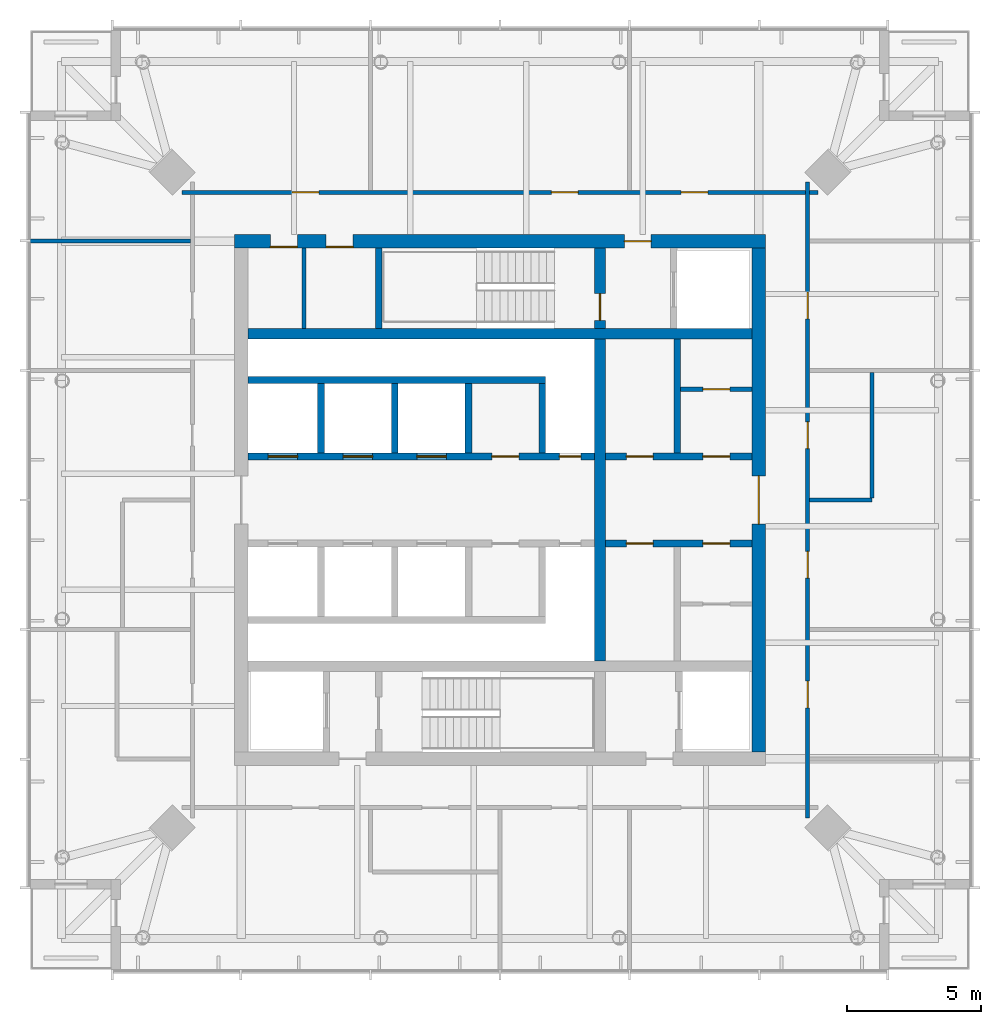
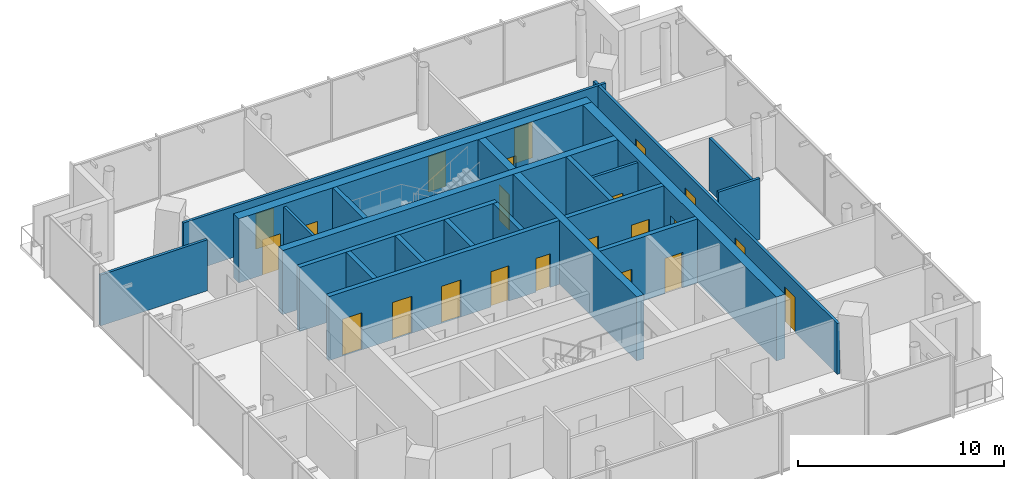
# One storey, part 5 of 7: 22 doors, 22 walls, 22 openings.
"""IFC4 building model written with IfcOpenShell, lengths in metres."""

from ifc_helpers import new_model, si_unit, direction, frame, frame_2d, origin, place, context, subcontext, project, spatial, rectangle, extrude, material, layer, layer_set, type_object, element, fill, save


model = new_model("IFC4")

# Units and contexts
model_context = context("Model", 3, precision=1e-05, world=origin(), true_north=direction((0.0, 1.0)))
body_context = subcontext(model_context, "Body", "Model", "MODEL_VIEW")
ifc_project = project(units=[si_unit("LENGTHUNIT", "METRE"), si_unit("AREAUNIT", "SQUARE_METRE"), si_unit("VOLUMEUNIT", "CUBIC_METRE"), si_unit("PLANEANGLEUNIT", "RADIAN"), si_unit("MASSUNIT", "GRAM", prefix="KILO")], contexts=[model_context])

# Site, building, storey
site_placement = place(None, origin())
site = spatial("IfcSite", under=ifc_project, at=site_placement, CompositionType="ELEMENT")
building_placement = place(site_placement, origin())
building = spatial("IfcBuilding", under=site, at=building_placement, Name="Ostroluk Exchange", CompositionType="ELEMENT")
storey_placement = place(building_placement, frame((0.0, 0.0, 260.39990234375)))
storey = spatial("IfcBuildingStorey", under=building, at=storey_placement, Name="L67", CompositionType="ELEMENT", Elevation=260.39990234375)

# Wall
ifc_material_1 = material(Name="Concrete blockwork", Category="masonry")
ifc_layer_1 = layer(ifc_material_1, 0.14990234375)
ifc_layer_set_1 = layer_set([ifc_layer_1], Name="Blockwork plant room wall 150")
wall_type_1 = type_object("IfcWallType", Name="Blockwork plant room wall 150", PredefinedType="SOLIDWALL", material=ifc_layer_set_1)
wall_1_placement = place(storey_placement, frame((37.68994140625, 52.39990234375, 0.0), z_axis=(0.0, 0.0, 1.0), x_axis=(0.0, 1.0, 0.0)))
element("IfcWall", 1, at=wall_1_placement, inside=storey, type_object=wall_type_1, Name="Core room wall", PredefinedType="SOLIDWALL", context=body_context, shape_type="SweptSolid", body=[
    extrude(rectangle(XDim=3.0, YDim=0.14990234375, at=frame_2d((1.5, 0.0))), origin(), (0.0, 0.0, 1.0), 3.6201171875),
])

# Wall, opening, door
wall_2_placement = place(storey_placement, frame((51.739990234375, 50.1298828125, 0.0), z_axis=(0.0, 0.0, 1.0), x_axis=(1.0, 0.0, 0.0)))
wall_2 = element("IfcWall", 2, at=wall_2_placement, inside=storey, type_object=wall_type_1, Name="Core room wall", PredefinedType="SOLIDWALL", context=body_context, shape_type="SweptSolid", body=[
    extrude(rectangle(XDim=2.659912109375, YDim=0.14990234375, at=frame_2d((1.330078125, 0.0))), origin(), (0.0, 0.0, 1.0), 3.6201171875),
])
opening_1_placement = place(wall_2_placement, frame((0.830078125, 0.0, 0.0)))
opening_1 = element("IfcOpeningElement", 3, at=opening_1_placement, cuts=wall_2, Name="Opening FD60", PredefinedType="OPENING", context=body_context, shape_type="SweptSolid", body=[
    extrude(rectangle(XDim=1.0, YDim=2.10009765625, at=frame_2d((0.5, 1.050048828125))), frame((0.0, 0.0849609375, 0.0), z_axis=(0.0, -1.0, 0.0), x_axis=(1.0, 0.0, 0.0)), (0.0, 0.0, 1.0), 0.169921875),
])
ifc_material_2 = material(Name="Steel", Category="steel")
door_type_1 = type_object("IfcDoorType", Name="Fire door EI 60 1000 x 2100", OperationType="SINGLE_SWING_LEFT", PredefinedType="DOOR", material=ifc_material_2)
door_1_placement = place(opening_1_placement, origin())
door_1 = element("IfcDoor", 4, at=door_1_placement, inside=storey, type_object=door_type_1, Name="Cleaner's store door", OperationType="SINGLE_SWING_RIGHT", OverallHeight=2.10009765625, OverallWidth=1.0, PredefinedType="DOOR", context=body_context, shape_type="SweptSolid", body=[
    extrude(rectangle(XDim=1.0, YDim=2.10009765625, at=frame_2d((0.5, 1.050048828125))), frame((0.0, 0.02490234375, 0.0), z_axis=(0.0, -1.0, 0.0), x_axis=(1.0, 0.0, 0.0)), (0.0, 0.0, 1.0), 0.050048828125),
])
fill(opening_1, door_1)

# Walls
ifc_material_3 = material(Name="Concrete C50/60", Category="concrete")
ifc_layer_2 = layer(ifc_material_3, 0.39990234375)
ifc_layer_set_2 = layer_set([ifc_layer_2], Name="Core cross wall 400 C50/60")
wall_type_2 = type_object("IfcWallType", Name="Core cross wall 400 C50/60", PredefinedType="SHEAR", material=ifc_layer_set_2)
wall_3_placement = place(storey_placement, frame((35.60009765625, 52.199951171875, 0.0), z_axis=(0.0, 0.0, 1.0), x_axis=(1.0, 0.0, 0.0)))
element("IfcWall", 5, at=wall_3_placement, inside=storey, type_object=wall_type_2, Name="T1 core wall XN", PredefinedType="SHEAR", context=body_context, shape_type="SweptSolid", body=[
    extrude(rectangle(XDim=18.7998046875, YDim=0.39990234375, at=frame_2d((9.39990234375, 0.0))), origin(), (0.0, 0.0, 1.0), 3.800048828125),
])
wall_4_placement = place(storey_placement, frame((48.72998046875, 40.0, 0.0), z_axis=(0.0, 0.0, 1.0), x_axis=(0.0, 1.0, 0.0)))
element("IfcWall", 6, at=wall_4_placement, inside=storey, type_object=wall_type_2, Name="T1 core wall YE2", PredefinedType="SHEAR", context=body_context, shape_type="SweptSolid", body=[
    extrude(rectangle(XDim=12.0, YDim=0.39990234375, at=frame_2d((6.0, 0.0))), origin(), (0.0, 0.0, 1.0), 3.800048828125),
])

# Wall, opening, door
wall_5_placement = place(storey_placement, frame((48.72998046875, 52.39990234375, 0.0), z_axis=(0.0, 0.0, 1.0), x_axis=(0.0, 1.0, 0.0)))
wall_5 = element("IfcWall", 7, at=wall_5_placement, inside=storey, type_object=wall_type_2, Name="T1 core wall YE3", PredefinedType="SHEAR", context=body_context, shape_type="SweptSolid", body=[
    extrude(rectangle(XDim=3.0, YDim=0.39990234375, at=frame_2d((1.5, 0.0))), origin(), (0.0, 0.0, 1.0), 3.800048828125),
])
opening_2_placement = place(wall_5_placement, frame((0.300048828125, 0.0, 0.0)))
opening_2 = element("IfcOpeningElement", 8, at=opening_2_placement, cuts=wall_5, Name="Opening FD60", PredefinedType="OPENING", context=body_context, shape_type="SweptSolid", body=[
    extrude(rectangle(XDim=1.0, YDim=2.10009765625, at=frame_2d((0.5, 1.050048828125))), frame((0.0, 0.2099609375, 0.0), z_axis=(0.0, -1.0, 0.0), x_axis=(1.0, 0.0, 0.0)), (0.0, 0.0, 1.0), 0.419921875),
])
door_2_placement = place(opening_2_placement, origin())
door_2 = element("IfcDoor", 9, at=door_2_placement, inside=storey, type_object=door_type_1, Name="Stair T1-S2 door", OperationType="SINGLE_SWING_LEFT", OverallHeight=2.10009765625, OverallWidth=1.0, PredefinedType="DOOR", context=body_context, shape_type="SweptSolid", body=[
    extrude(rectangle(XDim=1.0, YDim=2.10009765625, at=frame_2d((0.5, 1.050048828125))), frame((0.0, 0.02490234375, 0.0), z_axis=(0.0, -1.0, 0.0), x_axis=(1.0, 0.0, 0.0)), (0.0, 0.0, 1.0), 0.050048828125),
])
fill(opening_2, door_2)

# Walls
ifc_material_4 = material(Name="Concrete C40/50", Category="concrete")
ifc_layer_3 = layer(ifc_material_4, 0.25)
ifc_layer_set_3 = layer_set([ifc_layer_3], Name="Core shaft wall 250")
wall_type_3 = type_object("IfcWallType", Name="Core shaft wall 250", PredefinedType="SHEAR", material=ifc_layer_set_3)
wall_6_placement = place(storey_placement, frame((40.47509765625, 52.39990234375, 0.0), z_axis=(0.0, 0.0, 1.0), x_axis=(0.0, 1.0, 0.0)))
element("IfcWall", 10, at=wall_6_placement, inside=storey, type_object=wall_type_3, Name="Stair shaft wall", PredefinedType="SHEAR", context=body_context, shape_type="SweptSolid", body=[
    extrude(rectangle(XDim=3.0, YDim=0.25, at=frame_2d((1.5, 0.0))), origin(), (0.0, 0.0, 1.0), 3.800048828125),
])
for number, where, z_axis, x_axis, name in (
    (11, (38.324951171875, 47.75, 0.0), (0.0, 0.0, 1.0), (0.0, 1.0, 0.0), "Lift shaft wall"),
    (12, (41.074951171875, 47.75, 0.0), (0.0, 0.0, 1.0), (0.0, 1.0, 0.0), "Lift shaft wall"),
    (13, (43.824951171875, 47.75, 0.0), (0.0, 0.0, 1.0), (0.0, 1.0, 0.0), "Lift shaft wall"),
    (14, (46.574951171875, 47.75, 0.0), (0.0, 0.0, 1.0), (0.0, 1.0, 0.0), "Lift shaft wall"),
):
    element("IfcWall", number, at=place(storey_placement, frame(where, z_axis=z_axis, x_axis=x_axis)), inside=storey, type_object=wall_type_3, Name=name, PredefinedType="SHEAR", context=body_context, shape_type="SweptSolid", body=[
        extrude(rectangle(XDim=2.60009765625, YDim=0.25, at=frame_2d((1.300048828125, 0.0))), origin(), (0.0, 0.0, 1.0), 3.800048828125),
    ])
wall_7_placement = place(storey_placement, frame((35.60009765625, 50.47509765625, 0.0), z_axis=(0.0, 0.0, 1.0), x_axis=(1.0, 0.0, 0.0)))
element("IfcWall", 15, at=wall_7_placement, inside=storey, type_object=wall_type_3, Name="Lift shaft wall", PredefinedType="SHEAR", context=body_context, shape_type="SweptSolid", body=[
    extrude(rectangle(XDim=11.099853515625, YDim=0.25, at=frame_2d((5.5498046875, 0.0))), origin(), (0.0, 0.0, 1.0), 3.800048828125),
])

# Wall, openings, doors
wall_8_placement = place(storey_placement, frame((35.60009765625, 47.625, 0.0), z_axis=(0.0, 0.0, 1.0), x_axis=(1.0, 0.0, 0.0)))
wall_8 = element("IfcWall", 16, at=wall_8_placement, inside=storey, type_object=wall_type_3, Name="Lift shaft front wall", PredefinedType="SHEAR", context=body_context, shape_type="SweptSolid", body=[
    extrude(rectangle(XDim=12.929931640625, YDim=0.25, at=frame_2d((6.46484375, 0.0))), origin(), (0.0, 0.0, 1.0), 3.800048828125),
])
opening_3_placement = place(wall_8_placement, frame((0.75, 0.0, 0.0)))
opening_3 = element("IfcOpeningElement", 17, at=opening_3_placement, cuts=wall_8, Name="Opening LD", PredefinedType="OPENING", context=body_context, shape_type="SweptSolid", body=[
    extrude(rectangle(XDim=1.10009765625, YDim=2.199951171875, at=frame_2d((0.550048828125, 1.10009765625))), frame((0.0, 0.135009765625, 0.0), z_axis=(0.0, -1.0, 0.0), x_axis=(1.0, 0.0, 0.0)), (0.0, 0.0, 1.0), 0.27001953125),
])
opening_4_placement = place(wall_8_placement, frame((3.550048828125, 0.0, 0.0)))
opening_4 = element("IfcOpeningElement", 18, at=opening_4_placement, cuts=wall_8, Name="Opening LD", PredefinedType="OPENING", context=body_context, shape_type="SweptSolid", body=[
    extrude(rectangle(XDim=1.10009765625, YDim=2.199951171875, at=frame_2d((0.550048828125, 1.10009765625))), frame((0.0, 0.135009765625, 0.0), z_axis=(0.0, -1.0, 0.0), x_axis=(1.0, 0.0, 0.0)), (0.0, 0.0, 1.0), 0.27001953125),
])
opening_5_placement = place(wall_8_placement, frame((6.300048828125, 0.0, 0.0)))
opening_5 = element("IfcOpeningElement", 19, at=opening_5_placement, cuts=wall_8, Name="Opening LD", PredefinedType="OPENING", context=body_context, shape_type="SweptSolid", body=[
    extrude(rectangle(XDim=1.10009765625, YDim=2.199951171875, at=frame_2d((0.550048828125, 1.10009765625))), frame((0.0, 0.135009765625, 0.0), z_axis=(0.0, -1.0, 0.0), x_axis=(1.0, 0.0, 0.0)), (0.0, 0.0, 1.0), 0.27001953125),
])
opening_6_placement = place(wall_8_placement, frame((9.10009765625, 0.0, 0.0)))
opening_6 = element("IfcOpeningElement", 20, at=opening_6_placement, cuts=wall_8, Name="Opening FD60", PredefinedType="OPENING", context=body_context, shape_type="SweptSolid", body=[
    extrude(rectangle(XDim=1.0, YDim=2.10009765625, at=frame_2d((0.5, 1.050048828125))), frame((0.0, 0.135009765625, 0.0), z_axis=(0.0, -1.0, 0.0), x_axis=(1.0, 0.0, 0.0)), (0.0, 0.0, 1.0), 0.27001953125),
])
opening_7_placement = place(wall_8_placement, frame((11.614990234375, 0.0, 0.0)))
opening_7 = element("IfcOpeningElement", 21, at=opening_7_placement, cuts=wall_8, Name="Opening RD60", PredefinedType="OPENING", context=body_context, shape_type="SweptSolid", body=[
    extrude(rectangle(XDim=0.800048828125, YDim=2.0, at=frame_2d((0.39990234375, 1.0))), frame((0.0, 0.135009765625, 0.0), z_axis=(0.0, -1.0, 0.0), x_axis=(1.0, 0.0, 0.0)), (0.0, 0.0, 1.0), 0.27001953125),
])
door_3_placement = place(opening_6_placement, origin())
door_3 = element("IfcDoor", 22, at=door_3_placement, inside=storey, type_object=door_type_1, Name="Core room door", OperationType="SINGLE_SWING_RIGHT", OverallHeight=2.10009765625, OverallWidth=1.0, PredefinedType="DOOR", context=body_context, shape_type="SweptSolid", body=[
    extrude(rectangle(XDim=1.0, YDim=2.10009765625, at=frame_2d((0.5, 1.050048828125))), frame((0.0, 0.02490234375, 0.0), z_axis=(0.0, -1.0, 0.0), x_axis=(1.0, 0.0, 0.0)), (0.0, 0.0, 1.0), 0.050048828125),
])
fill(opening_6, door_3)
ifc_material_5 = material(Name="Stainless steel", Category="steel")
door_type_2 = type_object("IfcDoorType", Name="Lift landing door E 60 1100 x 2200", OperationType="DOUBLE_DOOR_SLIDING", PredefinedType="DOOR", material=ifc_material_5)
door_4_placement = place(opening_3_placement, origin())
door_4 = element("IfcDoor", 23, at=door_4_placement, inside=storey, type_object=door_type_2, Name="Lift PL-T1 landing door", OperationType="DOUBLE_DOOR_SLIDING", OverallHeight=2.199951171875, OverallWidth=1.10009765625, PredefinedType="DOOR", context=body_context, shape_type="SweptSolid", body=[
    extrude(rectangle(XDim=1.10009765625, YDim=2.199951171875, at=frame_2d((0.550048828125, 1.10009765625))), frame((0.0, 0.02490234375, 0.0), z_axis=(0.0, -1.0, 0.0), x_axis=(1.0, 0.0, 0.0)), (0.0, 0.0, 1.0), 0.050048828125),
])
fill(opening_3, door_4)
door_5_placement = place(opening_4_placement, origin())
door_5 = element("IfcDoor", 24, at=door_5_placement, inside=storey, type_object=door_type_2, Name="Lift PL-T2 landing door", OperationType="DOUBLE_DOOR_SLIDING", OverallHeight=2.199951171875, OverallWidth=1.10009765625, PredefinedType="DOOR", context=body_context, shape_type="SweptSolid", body=[
    extrude(rectangle(XDim=1.10009765625, YDim=2.199951171875, at=frame_2d((0.550048828125, 1.10009765625))), frame((0.0, 0.02490234375, 0.0), z_axis=(0.0, -1.0, 0.0), x_axis=(1.0, 0.0, 0.0)), (0.0, 0.0, 1.0), 0.050048828125),
])
fill(opening_4, door_5)
door_6_placement = place(opening_5_placement, origin())
door_6 = element("IfcDoor", 25, at=door_6_placement, inside=storey, type_object=door_type_2, Name="Lift PL-T3 landing door", OperationType="DOUBLE_DOOR_SLIDING", OverallHeight=2.199951171875, OverallWidth=1.10009765625, PredefinedType="DOOR", context=body_context, shape_type="SweptSolid", body=[
    extrude(rectangle(XDim=1.10009765625, YDim=2.199951171875, at=frame_2d((0.550048828125, 1.10009765625))), frame((0.0, 0.02490234375, 0.0), z_axis=(0.0, -1.0, 0.0), x_axis=(1.0, 0.0, 0.0)), (0.0, 0.0, 1.0), 0.050048828125),
])
fill(opening_5, door_6)
ifc_material_6 = material(Name="Steel", Category="steel")
door_type_3 = type_object("IfcDoorType", Name="Riser access door EI 60 800 x 2000", OperationType="SINGLE_SWING_LEFT", PredefinedType="DOOR", material=ifc_material_6)
door_7_placement = place(opening_7_placement, origin())
door_7 = element("IfcDoor", 26, at=door_7_placement, inside=storey, type_object=door_type_3, Name="Riser access door", OperationType="SINGLE_SWING_RIGHT", OverallHeight=2.0, OverallWidth=0.800048828125, PredefinedType="DOOR", context=body_context, shape_type="SweptSolid", body=[
    extrude(rectangle(XDim=0.800048828125, YDim=2.0, at=frame_2d((0.39990234375, 1.0))), frame((0.0, 0.02490234375, 0.0), z_axis=(0.0, -1.0, 0.0), x_axis=(1.0, 0.0, 0.0)), (0.0, 0.0, 1.0), 0.050048828125),
])
fill(opening_7, door_7)

# Wall
wall_9_placement = place(storey_placement, frame((51.614990234375, 47.75, 0.0), z_axis=(0.0, 0.0, 1.0), x_axis=(0.0, 1.0, 0.0)))
element("IfcWall", 27, at=wall_9_placement, inside=storey, type_object=wall_type_3, Name="Lift shaft wall", PredefinedType="SHEAR", context=body_context, shape_type="SweptSolid", body=[
    extrude(rectangle(XDim=4.25, YDim=0.25, at=frame_2d((2.125, 0.0))), origin(), (0.0, 0.0, 1.0), 3.800048828125),
])

# Wall, openings, doors
wall_10_placement = place(storey_placement, frame((48.929931640625, 47.625, 0.0), z_axis=(0.0, 0.0, 1.0), x_axis=(1.0, 0.0, 0.0)))
wall_10 = element("IfcWall", 28, at=wall_10_placement, inside=storey, type_object=wall_type_3, Name="Lift shaft front wall", PredefinedType="SHEAR", context=body_context, shape_type="SweptSolid", body=[
    extrude(rectangle(XDim=5.469970703125, YDim=0.25, at=frame_2d((2.73486328125, 0.0))), origin(), (0.0, 0.0, 1.0), 3.800048828125),
])
opening_8_placement = place(wall_10_placement, frame((0.780029296875, 0.0, 0.0)))
opening_8 = element("IfcOpeningElement", 29, at=opening_8_placement, cuts=wall_10, Name="Opening FD60", PredefinedType="OPENING", context=body_context, shape_type="SweptSolid", body=[
    extrude(rectangle(XDim=1.0, YDim=2.10009765625, at=frame_2d((0.5, 1.050048828125))), frame((0.0, 0.135009765625, 0.0), z_axis=(0.0, -1.0, 0.0), x_axis=(1.0, 0.0, 0.0)), (0.0, 0.0, 1.0), 0.27001953125),
])
opening_9_placement = place(wall_10_placement, frame((3.639892578125, 0.0, 0.0)))
opening_9 = element("IfcOpeningElement", 30, at=opening_9_placement, cuts=wall_10, Name="Opening FD60", PredefinedType="OPENING", context=body_context, shape_type="SweptSolid", body=[
    extrude(rectangle(XDim=1.0, YDim=2.10009765625, at=frame_2d((0.5, 1.050048828125))), frame((0.0, 0.135009765625, 0.0), z_axis=(0.0, -1.0, 0.0), x_axis=(1.0, 0.0, 0.0)), (0.0, 0.0, 1.0), 0.27001953125),
])
door_8_placement = place(opening_8_placement, origin())
door_8 = element("IfcDoor", 31, at=door_8_placement, inside=storey, type_object=door_type_1, Name="Core room door", OperationType="SINGLE_SWING_LEFT", OverallHeight=2.10009765625, OverallWidth=1.0, PredefinedType="DOOR", context=body_context, shape_type="SweptSolid", body=[
    extrude(rectangle(XDim=1.0, YDim=2.10009765625, at=frame_2d((0.5, 1.050048828125))), frame((0.0, 0.02490234375, 0.0), z_axis=(0.0, -1.0, 0.0), x_axis=(1.0, 0.0, 0.0)), (0.0, 0.0, 1.0), 0.050048828125),
])
fill(opening_8, door_8)
door_9_placement = place(opening_9_placement, origin())
door_9 = element("IfcDoor", 32, at=door_9_placement, inside=storey, type_object=door_type_1, Name="Core room door", OperationType="SINGLE_SWING_RIGHT", OverallHeight=2.10009765625, OverallWidth=1.0, PredefinedType="DOOR", context=body_context, shape_type="SweptSolid", body=[
    extrude(rectangle(XDim=1.0, YDim=2.10009765625, at=frame_2d((0.5, 1.050048828125))), frame((0.0, 0.02490234375, 0.0), z_axis=(0.0, -1.0, 0.0), x_axis=(1.0, 0.0, 0.0)), (0.0, 0.0, 1.0), 0.050048828125),
])
fill(opening_9, door_9)

wall_11_placement = place(storey_placement, frame((48.929931640625, 44.375, 0.0), z_axis=(0.0, 0.0, 1.0), x_axis=(1.0, 0.0, 0.0)))
wall_11 = element("IfcWall", 33, at=wall_11_placement, inside=storey, type_object=wall_type_3, Name="Lift shaft front wall", PredefinedType="SHEAR", context=body_context, shape_type="SweptSolid", body=[
    extrude(rectangle(XDim=5.469970703125, YDim=0.25, at=frame_2d((2.73486328125, 0.0))), origin(), (0.0, 0.0, 1.0), 3.800048828125),
])
opening_10_placement = place(wall_11_placement, frame((0.780029296875, 0.0, 0.0)))
opening_10 = element("IfcOpeningElement", 34, at=opening_10_placement, cuts=wall_11, Name="Opening FD60", PredefinedType="OPENING", context=body_context, shape_type="SweptSolid", body=[
    extrude(rectangle(XDim=1.0, YDim=2.10009765625, at=frame_2d((0.5, 1.050048828125))), frame((0.0, 0.135009765625, 0.0), z_axis=(0.0, -1.0, 0.0), x_axis=(1.0, 0.0, 0.0)), (0.0, 0.0, 1.0), 0.27001953125),
])
opening_11_placement = place(wall_11_placement, frame((3.639892578125, 0.0, 0.0)))
opening_11 = element("IfcOpeningElement", 35, at=opening_11_placement, cuts=wall_11, Name="Opening FD60", PredefinedType="OPENING", context=body_context, shape_type="SweptSolid", body=[
    extrude(rectangle(XDim=1.0, YDim=2.10009765625, at=frame_2d((0.5, 1.050048828125))), frame((0.0, 0.135009765625, 0.0), z_axis=(0.0, -1.0, 0.0), x_axis=(1.0, 0.0, 0.0)), (0.0, 0.0, 1.0), 0.27001953125),
])
door_10_placement = place(opening_10_placement, origin())
door_10 = element("IfcDoor", 36, at=door_10_placement, inside=storey, type_object=door_type_1, Name="Core room door", OperationType="SINGLE_SWING_LEFT", OverallHeight=2.10009765625, OverallWidth=1.0, PredefinedType="DOOR", context=body_context, shape_type="SweptSolid", body=[
    extrude(rectangle(XDim=1.0, YDim=2.10009765625, at=frame_2d((0.5, 1.050048828125))), frame((0.0, 0.02490234375, 0.0), z_axis=(0.0, -1.0, 0.0), x_axis=(1.0, 0.0, 0.0)), (0.0, 0.0, 1.0), 0.050048828125),
])
fill(opening_10, door_10)
door_11_placement = place(opening_11_placement, origin())
door_11 = element("IfcDoor", 37, at=door_11_placement, inside=storey, type_object=door_type_1, Name="Core room door", OperationType="SINGLE_SWING_RIGHT", OverallHeight=2.10009765625, OverallWidth=1.0, PredefinedType="DOOR", context=body_context, shape_type="SweptSolid", body=[
    extrude(rectangle(XDim=1.0, YDim=2.10009765625, at=frame_2d((0.5, 1.050048828125))), frame((0.0, 0.02490234375, 0.0), z_axis=(0.0, -1.0, 0.0), x_axis=(1.0, 0.0, 0.0)), (0.0, 0.0, 1.0), 0.050048828125),
])
fill(opening_11, door_11)

ifc_material_7 = material(Name="Concrete C50/60", Category="concrete")
ifc_layer_4 = layer(ifc_material_7, 0.5)
ifc_layer_set_4 = layer_set([ifc_layer_4], Name="Core wall 500 C50/60")
wall_type_4 = type_object("IfcWallType", Name="Core wall 500 C50/60", PredefinedType="SHEAR", material=ifc_layer_set_4)
wall_12_placement = place(storey_placement, frame((35.10009765625, 55.64990234375, 0.0), z_axis=(0.0, 0.0, 1.0), x_axis=(1.0, 0.0, 0.0)))
wall_12 = element("IfcWall", 38, at=wall_12_placement, inside=storey, type_object=wall_type_4, Name="T1 core wall N", PredefinedType="SHEAR", context=body_context, shape_type="SweptSolid", body=[
    extrude(rectangle(XDim=19.7998046875, YDim=0.5, at=frame_2d((9.89990234375, 0.0))), origin(), (0.0, 0.0, 1.0), 3.800048828125),
])
opening_12_placement = place(wall_12_placement, frame((14.5400390625, 0.0, 0.0)))
opening_12 = element("IfcOpeningElement", 39, at=opening_12_placement, cuts=wall_12, Name="Opening FD60", PredefinedType="OPENING", context=body_context, shape_type="SweptSolid", body=[
    extrude(rectangle(XDim=1.0, YDim=2.10009765625, at=frame_2d((0.5, 1.050048828125))), frame((0.0, 0.260009765625, 0.0), z_axis=(0.0, -1.0, 0.0), x_axis=(1.0, 0.0, 0.0)), (0.0, 0.0, 1.0), 0.52001953125),
])
opening_13_placement = place(wall_12_placement, frame((1.340087890625, 0.0, 0.0)))
opening_13 = element("IfcOpeningElement", 40, at=opening_13_placement, cuts=wall_12, Name="Opening FD60", PredefinedType="OPENING", context=body_context, shape_type="SweptSolid", body=[
    extrude(rectangle(XDim=1.0, YDim=2.10009765625, at=frame_2d((0.5, 1.050048828125))), frame((0.0, 0.260009765625, 0.0), z_axis=(0.0, -1.0, 0.0), x_axis=(1.0, 0.0, 0.0)), (0.0, 0.0, 1.0), 0.52001953125),
])
opening_14_placement = place(wall_12_placement, frame((3.419921875, 0.0, 0.0)))
opening_14 = element("IfcOpeningElement", 41, at=opening_14_placement, cuts=wall_12, Name="Opening FD60", PredefinedType="OPENING", context=body_context, shape_type="SweptSolid", body=[
    extrude(rectangle(XDim=1.0, YDim=2.10009765625, at=frame_2d((0.5, 1.050048828125))), frame((0.0, 0.260009765625, 0.0), z_axis=(0.0, -1.0, 0.0), x_axis=(1.0, 0.0, 0.0)), (0.0, 0.0, 1.0), 0.52001953125),
])
door_12_placement = place(opening_12_placement, origin())
door_12 = element("IfcDoor", 42, at=door_12_placement, inside=storey, type_object=door_type_1, Name="Firefighting lobby door", OperationType="SINGLE_SWING_RIGHT", OverallHeight=2.10009765625, OverallWidth=1.0, PredefinedType="DOOR", context=body_context, shape_type="SweptSolid", body=[
    extrude(rectangle(XDim=1.0, YDim=2.10009765625, at=frame_2d((0.5, 1.050048828125))), frame((0.0, 0.02490234375, 0.0), z_axis=(0.0, -1.0, 0.0), x_axis=(1.0, 0.0, 0.0)), (0.0, 0.0, 1.0), 0.050048828125),
])
fill(opening_12, door_12)
door_13_placement = place(opening_13_placement, origin())
door_13 = element("IfcDoor", 43, at=door_13_placement, inside=storey, type_object=door_type_1, Name="Tea point door", OperationType="SINGLE_SWING_LEFT", OverallHeight=2.10009765625, OverallWidth=1.0, PredefinedType="DOOR", context=body_context, shape_type="SweptSolid", body=[
    extrude(rectangle(XDim=1.0, YDim=2.10009765625, at=frame_2d((0.5, 1.050048828125))), frame((0.0, -0.18994140625, 0.0), z_axis=(0.0, -1.0, 0.0), x_axis=(1.0, 0.0, 0.0)), (0.0, 0.0, 1.0), 0.050048828125),
])
fill(opening_13, door_13)
door_14_placement = place(opening_14_placement, origin())
door_14 = element("IfcDoor", 44, at=door_14_placement, inside=storey, type_object=door_type_1, Name="Print and post room door", OperationType="SINGLE_SWING_LEFT", OverallHeight=2.10009765625, OverallWidth=1.0, PredefinedType="DOOR", context=body_context, shape_type="SweptSolid", body=[
    extrude(rectangle(XDim=1.0, YDim=2.10009765625, at=frame_2d((0.5, 1.050048828125))), frame((0.0, -0.18994140625, 0.0), z_axis=(0.0, -1.0, 0.0), x_axis=(1.0, 0.0, 0.0)), (0.0, 0.0, 1.0), 0.050048828125),
])
fill(opening_14, door_14)

# Wall, opening, door
wall_13_placement = place(storey_placement, frame((54.64990234375, 36.60009765625, 0.0), z_axis=(0.0, 0.0, 1.0), x_axis=(0.0, 1.0, 0.0)))
wall_13 = element("IfcWall", 45, at=wall_13_placement, inside=storey, type_object=wall_type_4, Name="T1 core wall E", PredefinedType="SHEAR", context=body_context, shape_type="SweptSolid", body=[
    extrude(rectangle(XDim=18.7998046875, YDim=0.5, at=frame_2d((9.39990234375, 0.0))), origin(), (0.0, 0.0, 1.0), 3.800048828125),
])
opening_15_placement = place(wall_13_placement, frame((8.5, 0.0, 0.0)))
opening_15 = element("IfcOpeningElement", 46, at=opening_15_placement, cuts=wall_13, Name="Opening FD30D", PredefinedType="OPENING", context=body_context, shape_type="SweptSolid", body=[
    extrude(rectangle(XDim=1.800048828125, YDim=2.39990234375, at=frame_2d((0.89990234375, 1.199951171875))), frame((0.0, 0.260009765625, 0.0), z_axis=(0.0, -1.0, 0.0), x_axis=(1.0, 0.0, 0.0)), (0.0, 0.0, 1.0), 0.52001953125),
])
ifc_material_8 = material(Name="Timber", Category="wood")
door_type_4 = type_object("IfcDoorType", Name="Lobby double door EI 30 1800 x 2400", OperationType="DOUBLE_DOOR_SINGLE_SWING", PredefinedType="DOOR", material=ifc_material_8)
door_15_placement = place(opening_15_placement, origin())
door_15 = element("IfcDoor", 47, at=door_15_placement, inside=storey, type_object=door_type_4, Name="Lift lobby doors", OperationType="DOUBLE_DOOR_SINGLE_SWING", OverallHeight=2.39990234375, OverallWidth=1.800048828125, PredefinedType="DOOR", context=body_context, shape_type="SweptSolid", body=[
    extrude(rectangle(XDim=1.800048828125, YDim=2.39990234375, at=frame_2d((0.89990234375, 1.199951171875))), frame((0.0, 0.02490234375, 0.0), z_axis=(0.0, -1.0, 0.0), x_axis=(1.0, 0.0, 0.0)), (0.0, 0.0, 1.0), 0.050048828125),
])
fill(opening_15, door_15)

# Wall
ifc_material_9 = material(Name="Gypsum plasterboard partition", Category="gypsum")
ifc_layer_5 = layer(ifc_material_9, 0.14990234375)
ifc_layer_set_5 = layer_set([ifc_layer_5], Name="Plasterboard partition 150")
wall_type_5 = type_object("IfcWallType", Name="Plasterboard partition 150", PredefinedType="PARTITIONING", material=ifc_layer_set_5)
wall_14_placement = place(storey_placement, frame((58.875, 46.074951171875, 0.0), z_axis=(0.0, 0.0, 1.0), x_axis=(0.0, 1.0, 0.0)))
element("IfcWall", 48, at=wall_14_placement, inside=storey, type_object=wall_type_5, Name="Partition", PredefinedType="PARTITIONING", context=body_context, shape_type="SweptSolid", body=[
    extrude(rectangle(XDim=4.683349609375, YDim=0.14990234375, at=frame_2d((2.341796875, 0.0))), origin(), (0.0, 0.0, 1.0), 3.1201171875),
])

# Wall, openings, doors
wall_15_placement = place(storey_placement, frame((56.47509765625, 34.141357421875, 0.0), z_axis=(0.0, 0.0, 1.0), x_axis=(0.0, 1.0, 0.0)))
wall_15 = element("IfcWall", 49, at=wall_15_placement, inside=storey, type_object=wall_type_5, Name="Partition", PredefinedType="PARTITIONING", context=body_context, shape_type="SweptSolid", body=[
    extrude(rectangle(XDim=23.71728515625, YDim=0.14990234375, at=frame_2d((11.858642578125, 0.0))), origin(), (0.0, 0.0, 1.0), 3.02001953125),
])
opening_16_placement = place(wall_15_placement, frame((4.108642578125, 0.0, 0.0)))
opening_16 = element("IfcOpeningElement", 50, at=opening_16_placement, cuts=wall_15, Name="Opening D-03", PredefinedType="OPENING", context=body_context, shape_type="SweptSolid", body=[
    extrude(rectangle(XDim=1.0, YDim=2.10009765625, at=frame_2d((0.5, 1.050048828125))), frame((0.0, 0.0849609375, 0.0), z_axis=(0.0, -1.0, 0.0), x_axis=(1.0, 0.0, 0.0)), (0.0, 0.0, 1.0), 0.169921875),
])
opening_17_placement = place(wall_15_placement, frame((8.94189453125, 0.0, 0.0)))
opening_17 = element("IfcOpeningElement", 51, at=opening_17_placement, cuts=wall_15, Name="Opening D-03", PredefinedType="OPENING", context=body_context, shape_type="SweptSolid", body=[
    extrude(rectangle(XDim=1.0, YDim=2.10009765625, at=frame_2d((0.5, 1.050048828125))), frame((0.0, 0.0849609375, 0.0), z_axis=(0.0, -1.0, 0.0), x_axis=(1.0, 0.0, 0.0)), (0.0, 0.0, 1.0), 0.169921875),
])
opening_18_placement = place(wall_15_placement, frame((13.775390625, 0.0, 0.0)))
opening_18 = element("IfcOpeningElement", 52, at=opening_18_placement, cuts=wall_15, Name="Opening D-03", PredefinedType="OPENING", context=body_context, shape_type="SweptSolid", body=[
    extrude(rectangle(XDim=1.0, YDim=2.10009765625, at=frame_2d((0.5, 1.050048828125))), frame((0.0, 0.0849609375, 0.0), z_axis=(0.0, -1.0, 0.0), x_axis=(1.0, 0.0, 0.0)), (0.0, 0.0, 1.0), 0.169921875),
])
opening_19_placement = place(wall_15_placement, frame((18.608642578125, 0.0, 0.0)))
opening_19 = element("IfcOpeningElement", 53, at=opening_19_placement, cuts=wall_15, Name="Opening D-03", PredefinedType="OPENING", context=body_context, shape_type="SweptSolid", body=[
    extrude(rectangle(XDim=1.0, YDim=2.10009765625, at=frame_2d((0.5, 1.050048828125))), frame((0.0, 0.0849609375, 0.0), z_axis=(0.0, -1.0, 0.0), x_axis=(1.0, 0.0, 0.0)), (0.0, 0.0, 1.0), 0.169921875),
])
ifc_material_10 = material(Name="Timber", Category="wood")
door_type_5 = type_object("IfcDoorType", Name="Internal door 1000 x 2100", OperationType="SINGLE_SWING_LEFT", PredefinedType="DOOR", material=ifc_material_10)
door_16_placement = place(opening_16_placement, origin())
door_16 = element("IfcDoor", 54, at=door_16_placement, inside=storey, type_object=door_type_5, Name="Office door", OperationType="SINGLE_SWING_LEFT", OverallHeight=2.10009765625, OverallWidth=1.0, PredefinedType="DOOR", context=body_context, shape_type="SweptSolid", body=[
    extrude(rectangle(XDim=1.0, YDim=2.10009765625, at=frame_2d((0.5, 1.050048828125))), frame((0.0, 0.02490234375, 0.0), z_axis=(0.0, -1.0, 0.0), x_axis=(1.0, 0.0, 0.0)), (0.0, 0.0, 1.0), 0.050048828125),
])
fill(opening_16, door_16)
door_17_placement = place(opening_17_placement, origin())
door_17 = element("IfcDoor", 55, at=door_17_placement, inside=storey, type_object=door_type_5, Name="Office door", OperationType="SINGLE_SWING_LEFT", OverallHeight=2.10009765625, OverallWidth=1.0, PredefinedType="DOOR", context=body_context, shape_type="SweptSolid", body=[
    extrude(rectangle(XDim=1.0, YDim=2.10009765625, at=frame_2d((0.5, 1.050048828125))), frame((0.0, 0.02490234375, 0.0), z_axis=(0.0, -1.0, 0.0), x_axis=(1.0, 0.0, 0.0)), (0.0, 0.0, 1.0), 0.050048828125),
])
fill(opening_17, door_17)
door_18_placement = place(opening_18_placement, origin())
door_18 = element("IfcDoor", 56, at=door_18_placement, inside=storey, type_object=door_type_5, Name="Print and store room door", OperationType="SINGLE_SWING_RIGHT", OverallHeight=2.10009765625, OverallWidth=1.0, PredefinedType="DOOR", context=body_context, shape_type="SweptSolid", body=[
    extrude(rectangle(XDim=1.0, YDim=2.10009765625, at=frame_2d((0.5, 1.050048828125))), frame((0.0, 0.02490234375, 0.0), z_axis=(0.0, -1.0, 0.0), x_axis=(1.0, 0.0, 0.0)), (0.0, 0.0, 1.0), 0.050048828125),
])
fill(opening_18, door_18)
door_19_placement = place(opening_19_placement, origin())
door_19 = element("IfcDoor", 57, at=door_19_placement, inside=storey, type_object=door_type_5, Name="Office door", OperationType="SINGLE_SWING_RIGHT", OverallHeight=2.10009765625, OverallWidth=1.0, PredefinedType="DOOR", context=body_context, shape_type="SweptSolid", body=[
    extrude(rectangle(XDim=1.0, YDim=2.10009765625, at=frame_2d((0.5, 1.050048828125))), frame((0.0, 0.02490234375, 0.0), z_axis=(0.0, -1.0, 0.0), x_axis=(1.0, 0.0, 0.0)), (0.0, 0.0, 1.0), 0.050048828125),
])
fill(opening_19, door_19)

# Wall
wall_16_placement = place(storey_placement, frame((56.550048828125, 46.0, 0.0), z_axis=(0.0, 0.0, 1.0), x_axis=(1.0, 0.0, 0.0)))
element("IfcWall", 58, at=wall_16_placement, inside=storey, type_object=wall_type_5, Name="Partition", PredefinedType="PARTITIONING", context=body_context, shape_type="SweptSolid", body=[
    extrude(rectangle(XDim=2.324951171875, YDim=0.14990234375, at=frame_2d((1.16259765625, 0.0))), origin(), (0.0, 0.0, 1.0), 3.6201171875),
])

# Wall, openings, doors
wall_17_placement = place(storey_placement, frame((56.858642578125, 57.47509765625, 0.0), z_axis=(0.0, 0.0, 1.0), x_axis=(-1.0, 0.0, 0.0)))
wall_17 = element("IfcWall", 59, at=wall_17_placement, inside=storey, type_object=wall_type_5, Name="Partition", PredefinedType="PARTITIONING", context=body_context, shape_type="SweptSolid", body=[
    extrude(rectangle(XDim=23.71728515625, YDim=0.14990234375, at=frame_2d((11.858642578125, 0.0))), origin(), (0.0, 0.0, 1.0), 3.02001953125),
])
opening_20_placement = place(wall_17_placement, frame((4.108642578125, 0.0, 0.0)))
opening_20 = element("IfcOpeningElement", 60, at=opening_20_placement, cuts=wall_17, Name="Opening D-03", PredefinedType="OPENING", context=body_context, shape_type="SweptSolid", body=[
    extrude(rectangle(XDim=1.0, YDim=2.10009765625, at=frame_2d((0.5, 1.050048828125))), frame((0.0, 0.0849609375, 0.0), z_axis=(0.0, -1.0, 0.0), x_axis=(1.0, 0.0, 0.0)), (0.0, 0.0, 1.0), 0.169921875),
])
opening_21_placement = place(wall_17_placement, frame((8.94189453125, 0.0, 0.0)))
opening_21 = element("IfcOpeningElement", 61, at=opening_21_placement, cuts=wall_17, Name="Opening D-03", PredefinedType="OPENING", context=body_context, shape_type="SweptSolid", body=[
    extrude(rectangle(XDim=1.0, YDim=2.10009765625, at=frame_2d((0.5, 1.050048828125))), frame((0.0, 0.0849609375, 0.0), z_axis=(0.0, -1.0, 0.0), x_axis=(1.0, 0.0, 0.0)), (0.0, 0.0, 1.0), 0.169921875),
])
opening_22_placement = place(wall_17_placement, frame((18.608642578125, 0.0, 0.0)))
opening_22 = element("IfcOpeningElement", 62, at=opening_22_placement, cuts=wall_17, Name="Opening D-03", PredefinedType="OPENING", context=body_context, shape_type="SweptSolid", body=[
    extrude(rectangle(XDim=1.0, YDim=2.10009765625, at=frame_2d((0.5, 1.050048828125))), frame((0.0, 0.0849609375, 0.0), z_axis=(0.0, -1.0, 0.0), x_axis=(1.0, 0.0, 0.0)), (0.0, 0.0, 1.0), 0.169921875),
])
door_20_placement = place(opening_20_placement, origin())
door_20 = element("IfcDoor", 63, at=door_20_placement, inside=storey, type_object=door_type_5, Name="Corner office door", OperationType="SINGLE_SWING_LEFT", OverallHeight=2.10009765625, OverallWidth=1.0, PredefinedType="DOOR", context=body_context, shape_type="SweptSolid", body=[
    extrude(rectangle(XDim=1.0, YDim=2.10009765625, at=frame_2d((0.5, 1.050048828125))), frame((0.0, 0.02490234375, 0.0), z_axis=(0.0, -1.0, 0.0), x_axis=(1.0, 0.0, 0.0)), (0.0, 0.0, 1.0), 0.050048828125),
])
fill(opening_20, door_20)
door_21_placement = place(opening_21_placement, origin())
door_21 = element("IfcDoor", 64, at=door_21_placement, inside=storey, type_object=door_type_5, Name="Executive office door", OperationType="SINGLE_SWING_LEFT", OverallHeight=2.10009765625, OverallWidth=1.0, PredefinedType="DOOR", context=body_context, shape_type="SweptSolid", body=[
    extrude(rectangle(XDim=1.0, YDim=2.10009765625, at=frame_2d((0.5, 1.050048828125))), frame((0.0, 0.02490234375, 0.0), z_axis=(0.0, -1.0, 0.0), x_axis=(1.0, 0.0, 0.0)), (0.0, 0.0, 1.0), 0.050048828125),
])
fill(opening_21, door_21)
door_22_placement = place(opening_22_placement, origin())
door_22 = element("IfcDoor", 65, at=door_22_placement, inside=storey, type_object=door_type_5, Name="Office door", OperationType="SINGLE_SWING_RIGHT", OverallHeight=2.10009765625, OverallWidth=1.0, PredefinedType="DOOR", context=body_context, shape_type="SweptSolid", body=[
    extrude(rectangle(XDim=1.0, YDim=2.10009765625, at=frame_2d((0.5, 1.050048828125))), frame((0.0, 0.02490234375, 0.0), z_axis=(0.0, -1.0, 0.0), x_axis=(1.0, 0.0, 0.0)), (0.0, 0.0, 1.0), 0.050048828125),
])
fill(opening_22, door_22)

# Wall
wall_18_placement = place(storey_placement, frame((33.449951171875, 55.666748046875, 0.0), z_axis=(0.0, 0.0, 1.0), x_axis=(-1.0, 0.0, 0.0)))
element("IfcWall", 66, at=wall_18_placement, inside=storey, type_object=wall_type_5, Name="Partition", PredefinedType="PARTITIONING", context=body_context, shape_type="SweptSolid", body=[
    extrude(rectangle(XDim=5.989990234375, YDim=0.14990234375, at=frame_2d((2.9951171875, 0.0))), origin(), (0.0, 0.0, 1.0), 3.02001953125),
])

save(model, "model.ifc")
